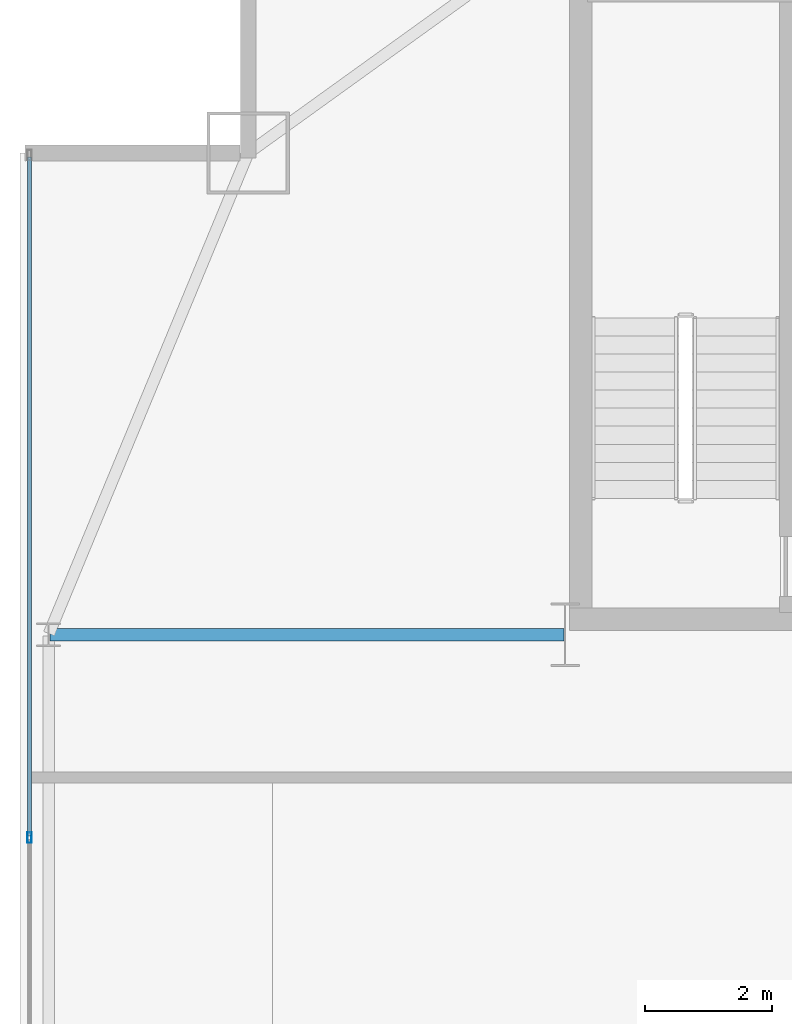
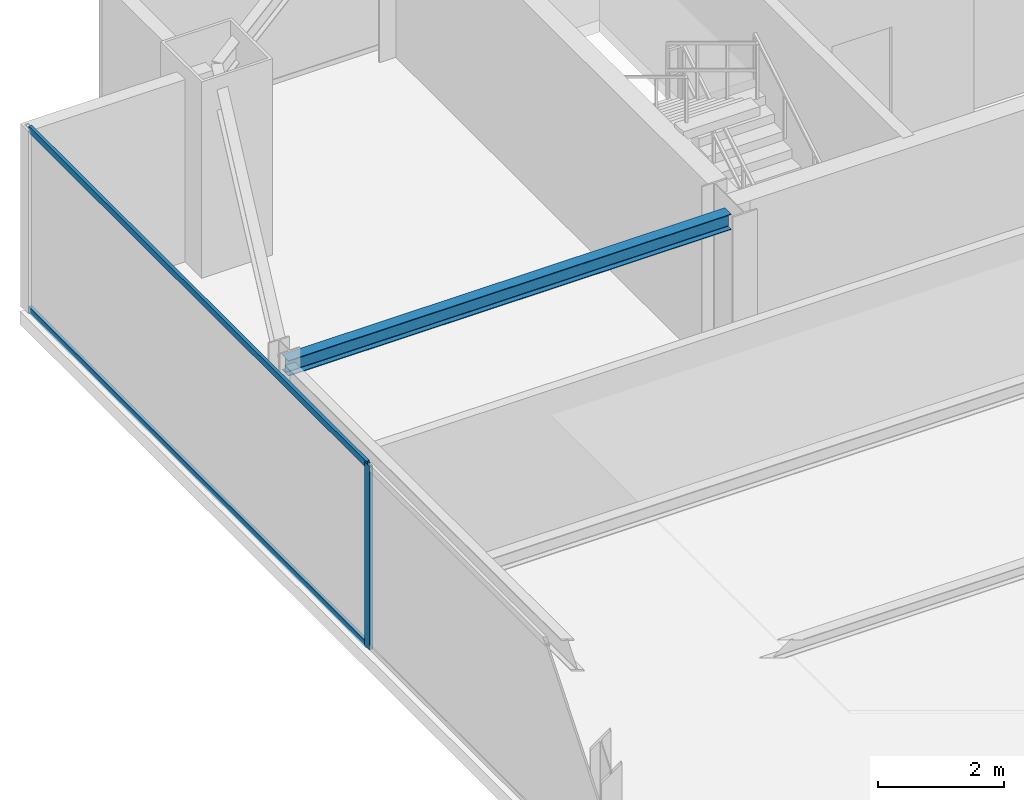
# One storey, part 11 of 30: 3 members, 1 beam, 1 element without a shape of its own.
"""IFC4 building model written with IfcOpenShell, lengths in metres."""

from ifc_helpers import new_model, si_unit, direction, frame, origin, origin_2d, place, context, subcontext, project, spatial, hollow_rectangle, i_section, extrude, source, transform, mapped, material, layer, layer_set, material_profile, profile_set, type_object, type_shapes, element, aggregate, save


model = new_model("IFC4")

# Units and contexts
model_context = context("Model", 3, precision=1e-05, world=origin(), true_north=direction((0.0, 1.0)))
body_context = subcontext(model_context, "Body", "Model", "MODEL_VIEW")
ifc_project = project(units=[si_unit("LENGTHUNIT", "METRE"), si_unit("AREAUNIT", "SQUARE_METRE"), si_unit("VOLUMEUNIT", "CUBIC_METRE"), si_unit("PLANEANGLEUNIT", "RADIAN"), si_unit("MASSUNIT", "GRAM", prefix="KILO")], contexts=[model_context])

# Site, building, storey
site_placement = place(None, origin())
site = spatial("IfcSite", under=ifc_project, at=site_placement, CompositionType="ELEMENT")
building_placement = place(site_placement, origin())
building = spatial("IfcBuilding", under=site, at=building_placement, Name="Varnel Quay Broadcast Tower", CompositionType="ELEMENT")
storey_placement = place(building_placement, frame((0.0, 0.0, 149.60009765625)))
storey = spatial("IfcBuildingStorey", under=building, at=storey_placement, Name="L36", CompositionType="ELEMENT", Elevation=149.60009765625)

# Beam
ifc_material_1 = material(Name="Structural Steel CSA G40.21 350W", Category="steel")
ifc_material_profile_1 = material_profile(ifc_material_1, i_section(OverallWidth=0.202880859375, OverallDepth=0.302978515625, WebThickness=0.007568359375, FlangeThickness=0.01318359375, FilletRadius=0.011962890625, at=origin_2d()), Name="W310X60")
ifc_profile_set_1 = profile_set([ifc_material_profile_1], Name="Structural Steel CSA G40.21 350W")
beam_type = type_object("IfcBeamType", Name="Beam_W310X60", PredefinedType="JOIST", material=ifc_profile_set_1)
shared_shape_1 = source(origin(), body_context, "Body", "SweptSolid", [
    extrude(i_section(OverallWidth=0.202880859375, OverallDepth=0.302978515625, WebThickness=0.007568359375, FlangeThickness=0.01318359375, FilletRadius=0.011962890625, at=origin_2d()), origin(), (0.0, 0.0, 1.0), 8.110107421875),
])
type_shapes(beam_type, [shared_shape_1])
beam_placement = place(storey_placement, frame((7.469970703125, 35.60009765625, 3.3984375), z_axis=(1.0, 0.0, 0.0), x_axis=(0.0, 1.0, 0.0)))
element("IfcBeam", 1, at=beam_placement, inside=storey, type_object=beam_type, Name="L36 West Core Tie Joist", PredefinedType="JOIST", context=body_context, shape_type="MappedRepresentation", body=[
    mapped(shared_shape_1, transform((0.0, 0.0, 0.0), x_axis=(1.0, 0.0, 0.0), y_axis=(0.0, 1.0, 0.0), z_axis=(0.0, 0.0, 1.0), scale=1.0)),
])

# Curtain wall, members
ifc_material_2 = material(Name="Anodised Bronze Aluminium 6063-T6", Category="aluminium")
ifc_layer = layer(ifc_material_2, 0.18994140625, Name="Anodised Bronze Aluminium 6063-T6")
ifc_layer_set = layer_set([ifc_layer], Name="Anodised Bronze Aluminium 6063-T6")
curtain_wall_type = type_object("IfcCurtainWallType", Name="CW_UpperTower", PredefinedType="NOTDEFINED", material=ifc_layer_set)
curtain_wall_placement = place(storey_placement, origin())
curtain_wall = element("IfcCurtainWall", 2, at=curtain_wall_placement, inside=storey, type_object=curtain_wall_type, Name="L36 West Unitised Curtain Wall", PredefinedType="NOTDEFINED")
ifc_material_profile_2 = material_profile(ifc_material_2, hollow_rectangle(XDim=0.06005859375, YDim=0.125, WallThickness=0.0029296875, at=origin_2d()), Name="ALU60X125X3")
ifc_profile_set_2 = profile_set([ifc_material_profile_2], Name="Anodised Bronze Aluminium 6063-T6")
member_type_1 = type_object("IfcMemberType", Name="Tran_CWS-03", PredefinedType="USERDEFINED", material=ifc_profile_set_2)
shared_shape_2 = source(origin(), body_context, "Body", "SweptSolid", [
    extrude(hollow_rectangle(XDim=0.06005859375, YDim=0.125, WallThickness=0.0029296875, at=origin_2d()), origin(), (0.0, 0.0, 1.0), 10.702392578125),
])
type_shapes(member_type_1, [shared_shape_2])
member_1_placement = place(storey_placement, frame((7.14990234375, 32.4326171875, 0.02978515625), z_axis=(0.0, 1.0, 0.0), x_axis=(-1.0, 0.0, 0.0)))
member_1 = element("IfcMember", 3, at=member_1_placement, type_object=member_type_1, Name="CWS-03 transom 3.1", ObjectType="TRANSOM", PredefinedType="USERDEFINED", context=body_context, shape_type="MappedRepresentation", body=[
    mapped(shared_shape_2, transform((0.0, 0.0, 0.0), x_axis=(1.0, 0.0, 0.0), y_axis=(0.0, 1.0, 0.0), z_axis=(0.0, 0.0, 1.0), scale=1.0)),
])
member_2_placement = place(storey_placement, frame((7.14990234375, 32.4326171875, 3.52001953125), z_axis=(0.0, 1.0, 0.0), x_axis=(-1.0, 0.0, 0.0)))
member_2 = element("IfcMember", 4, at=member_2_placement, type_object=member_type_1, Name="CWS-03 transom 3.2", ObjectType="TRANSOM", PredefinedType="USERDEFINED", context=body_context, shape_type="MappedRepresentation", body=[
    mapped(shared_shape_2, transform((0.0, 0.0, 0.0), x_axis=(1.0, 0.0, 0.0), y_axis=(0.0, 1.0, 0.0), z_axis=(0.0, 0.0, 1.0), scale=1.0)),
])
ifc_material_profile_3 = material_profile(ifc_material_2, hollow_rectangle(XDim=0.06494140625, YDim=0.1650390625, WallThickness=0.00341796875, at=origin_2d()), Name="ALU65X165X3.5")
ifc_profile_set_3 = profile_set([ifc_material_profile_3], Name="Anodised Bronze Aluminium 6063-T6")
member_type_2 = type_object("IfcMemberType", Name="Mull_CWS-03", PredefinedType="MULLION", material=ifc_profile_set_3)
shared_shape_3 = source(origin(), body_context, "Body", "SweptSolid", [
    extrude(hollow_rectangle(XDim=0.06494140625, YDim=0.1650390625, WallThickness=0.00341796875, at=origin_2d()), origin(), (0.0, 0.0, 1.0), 3.5498046875),
])
type_shapes(member_type_2, [shared_shape_3])
member_3_placement = place(storey_placement, frame((7.14990234375, 32.39990234375, 0.0), z_axis=(0.0, 0.0, 1.0), x_axis=(-1.0, 0.0, 0.0)))
member_3 = element("IfcMember", 5, at=member_3_placement, type_object=member_type_2, Name="CWS-03 mullion 3", PredefinedType="MULLION", context=body_context, shape_type="MappedRepresentation", body=[
    mapped(shared_shape_3, transform((0.0, 0.0, 0.0), x_axis=(1.0, 0.0, 0.0), y_axis=(0.0, 1.0, 0.0), z_axis=(0.0, 0.0, 1.0), scale=1.0)),
])
aggregate(curtain_wall, [member_3, member_1, member_2])

save(model, "model.ifc")
